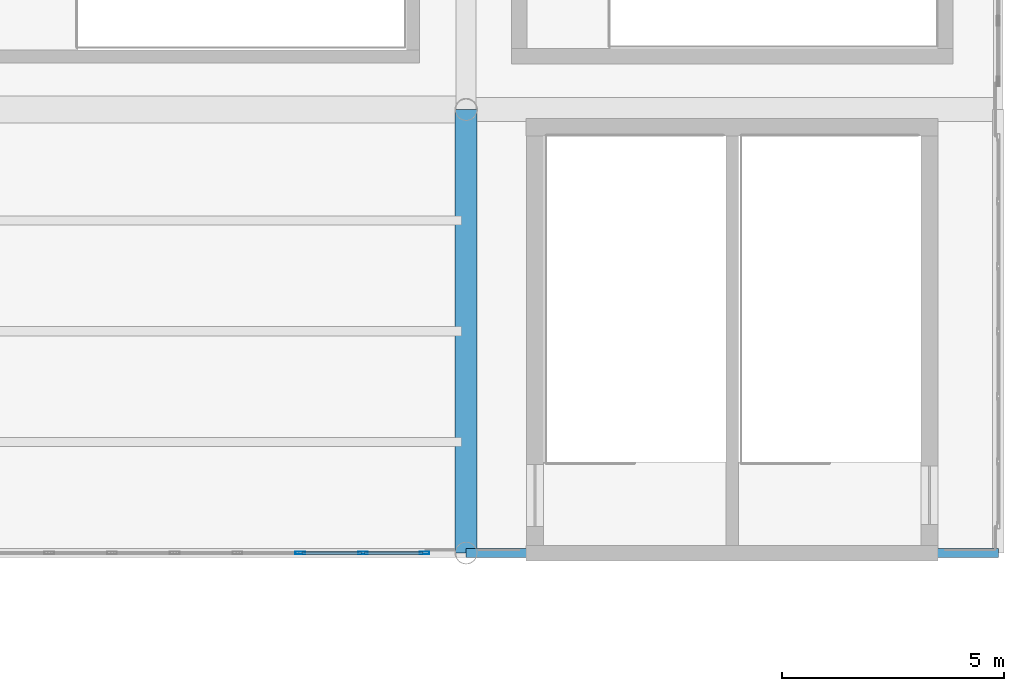
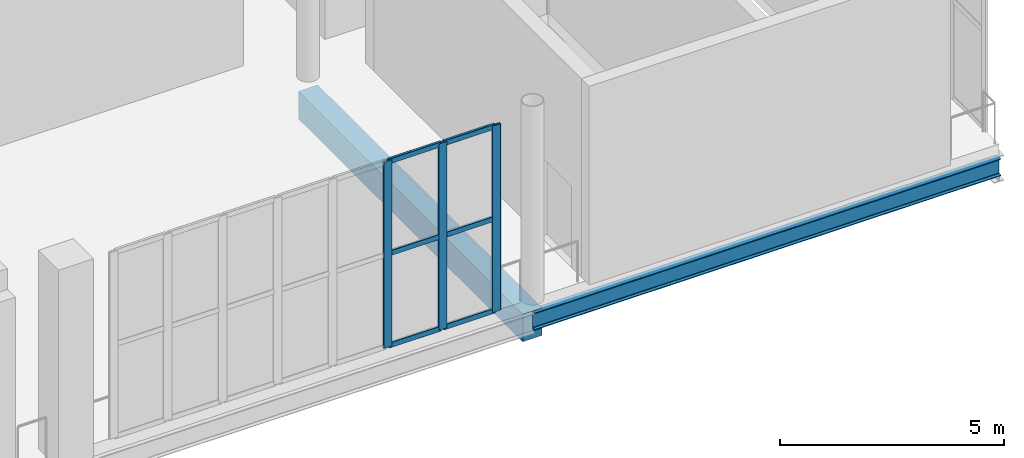
# One storey, part 28 of 74: 9 members, 2 beams, 1 element without a shape of its own.
"""IFC4 building model written with IfcOpenShell, lengths in metres."""

import ifcopenshell
import ifcopenshell.guid

model = None  # the IFC model being written
_history = None  # IfcOwnerHistory: only IFC2X3 demands one
_inside = {}  # id of a spatial element -> (the spatial element, [elements in it])
_under = {}  # id of a project, library or spatial element -> (it, [spatial elements below it])
_declared = {}  # id of a project -> (the project, [libraries it declares])
_typed = {}  # id of a type object -> (the type object, [elements of that type])
_made_of = {}  # id of a material, layer set ... -> (it, [elements and type objects made of it])


def new_model(schema):
    """Start an empty IFC model of exactly this schema.

    Asked for "IFC4X3", IfcOpenShell would pick the latest addendum, in which some entities
    have other attributes; the version numbers below select the first issue.
    IFC2X3 requires an IfcOwnerHistory on every rooted entity: one is made here for all.
    """
    global model, _history
    if schema == "IFC4X3":
        model = ifcopenshell.file(schema_version=(4, 3, 0, 0))
    else:
        model = ifcopenshell.file(schema=schema)
    _inside.clear()
    _under.clear()
    _declared.clear()
    _typed.clear()
    _made_of.clear()
    _history = None
    if model.schema == "IFC2X3":
        org = make("IfcOrganization", Name="unknown")
        user = make(
            "IfcPersonAndOrganization",
            ThePerson=make("IfcPerson", FamilyName="unknown"),
            TheOrganization=org,
        )
        app = make(
            "IfcApplication",
            ApplicationDeveloper=org,
            Version="unknown",
            ApplicationFullName="unknown",
            ApplicationIdentifier="unknown",
        )
        _history = make(
            "IfcOwnerHistory",
            OwningUser=user,
            OwningApplication=app,
            ChangeAction="ADDED",
            CreationDate=0,
        )
    return model


def make(cls, **values):
    """One entity of the class cls with the attributes given. An attribute that is None is left unset."""
    return model.create_entity(
        cls, **{name: value for name, value in values.items() if value is not None}
    )


def rooted(cls, **values):
    """An entity with a GlobalId (a new one), such as an element, a storey or a relation."""
    return make(cls, GlobalId=ifcopenshell.guid.new(), OwnerHistory=_history, **values)


def si_unit(unit_type, name, prefix=None):
    """IfcSIUnit, for example si_unit("LENGTHUNIT", "METRE", prefix="MILLI")."""
    return make("IfcSIUnit", UnitType=unit_type, Prefix=prefix, Name=name)


def assignment(units):
    """IfcUnitAssignment: the units of a project."""
    return None if units is None else make("IfcUnitAssignment", Units=units)


def point(xyz):
    """IfcCartesianPoint."""
    return None if xyz is None else make("IfcCartesianPoint", Coordinates=xyz)


def direction(xyz):
    """IfcDirection."""
    return None if xyz is None else make("IfcDirection", DirectionRatios=xyz)


def frame(location, z_axis=None, x_axis=None):
    """IfcAxis2Placement3D, a coordinate frame: its origin and axes. An axis left out is left unset."""
    return make(
        "IfcAxis2Placement3D",
        Location=point(location),
        Axis=direction(z_axis),
        RefDirection=direction(x_axis),
    )


def frame_2d(location, x_axis=None):
    """IfcAxis2Placement2D, a coordinate frame in the plane: its origin and x axis."""
    return make(
        "IfcAxis2Placement2D", Location=point(location), RefDirection=direction(x_axis)
    )


def origin():
    """The frame at (0, 0, 0) with its axes left unset."""
    return frame((0.0, 0.0, 0.0))


def origin_2d():
    """The frame at (0, 0) in the plane with its x axis left unset."""
    return frame_2d((0.0, 0.0))


def place(relative_to, where):
    """IfcLocalPlacement: puts the frame where relative to a parent placement (None: the world)."""
    return make(
        "IfcLocalPlacement", PlacementRelTo=relative_to, RelativePlacement=where
    )


def context(
    kind, dimensions, precision=None, world=None, true_north=None, identifier=None
):
    """IfcGeometricRepresentationContext, for example the 3D "Model" context."""
    return make(
        "IfcGeometricRepresentationContext",
        ContextIdentifier=identifier,
        ContextType=kind,
        CoordinateSpaceDimension=dimensions,
        Precision=precision,
        WorldCoordinateSystem=world,
        TrueNorth=true_north,
    )


def subcontext(parent, identifier, kind, view, scale=None):
    """IfcGeometricRepresentationSubContext, for example "Body" below "Model"."""
    return make(
        "IfcGeometricRepresentationSubContext",
        ContextIdentifier=identifier,
        ContextType=kind,
        ParentContext=parent,
        TargetScale=scale,
        TargetView=view,
    )


def project(units=None, contexts=None):
    """IfcProject with its units and contexts."""
    return rooted(
        "IfcProject",
        Name="project",
        RepresentationContexts=contexts,
        UnitsInContext=assignment(units),
    )


def spatial(cls, under=None, at=None, **own):
    """A site, building, storey or space (cls), placed at a placement, below another one or the project."""
    s = rooted(cls, ObjectPlacement=at, **own)
    if under is not None:
        _under.setdefault(under.id(), (under, []))[1].append(s)
    return s


def profile(cls, at=None, kind="AREA", **sizes):
    """A parametric profile (cls). Its sizes go by their IFC names, for example OverallWidth=200.0."""
    return make(cls, ProfileType=kind, Position=at, **sizes)


def rectangle(**sizes):
    """IfcRectangleProfileDef."""
    return profile("IfcRectangleProfileDef", **sizes)


def hollow_rectangle(**sizes):
    """IfcRectangleHollowProfileDef."""
    return profile("IfcRectangleHollowProfileDef", **sizes)


def i_section(**sizes):
    """IfcIShapeProfileDef."""
    return profile("IfcIShapeProfileDef", **sizes)


def extrude(swept, where, along, depth):
    """IfcExtrudedAreaSolid: the profile swept, set in the frame where, extruded along a direction by depth."""
    return make(
        "IfcExtrudedAreaSolid",
        SweptArea=swept,
        Position=where,
        ExtrudedDirection=direction(along),
        Depth=depth,
    )


def shape(context_of_items, identifier, shape_type, items):
    """IfcShapeRepresentation: the items that make up one representation, for example the "Body"."""
    return make(
        "IfcShapeRepresentation",
        ContextOfItems=context_of_items,
        RepresentationIdentifier=identifier,
        RepresentationType=shape_type,
        Items=items,
    )


def material(Name=None, Category=None):
    """IfcMaterial."""
    return make("IfcMaterial", Name=Name, Category=Category)


def layer(
    of_material, thickness, ventilated=None, Name=None, Category=None, Priority=None
):
    """IfcMaterialLayer: one layer of a wall or slab, of a material (None: an air gap)."""
    return make(
        "IfcMaterialLayer",
        Material=of_material,
        LayerThickness=thickness,
        IsVentilated=ventilated,
        Name=Name,
        Category=Category,
        Priority=Priority,
    )


def layer_set(layers, Name=None):
    """IfcMaterialLayerSet."""
    return make("IfcMaterialLayerSet", MaterialLayers=layers, LayerSetName=Name)


def material_profile(
    of_material, cross_section, Name=None, Category=None, Priority=None
):
    """IfcMaterialProfile: a cross section and its material."""
    return make(
        "IfcMaterialProfile",
        Name=Name,
        Material=of_material,
        Profile=cross_section,
        Priority=Priority,
        Category=Category,
    )


def profile_set(profiles, Name=None, composite=None):
    """IfcMaterialProfileSet."""
    return make(
        "IfcMaterialProfileSet",
        Name=Name,
        MaterialProfiles=profiles,
        CompositeProfile=composite,
    )


def made_of(thing, what):
    """Note that an element or type object is made of a material, layer set ...; save() writes the relation."""
    if what is not None:
        _made_of.setdefault(what.id(), (what, []))[1].append(thing)
    return thing


def type_object(cls, material=None, **own):
    """A type object (cls), such as IfcWallType, which elements share."""
    return made_of(rooted(cls, **own), material)


def element(
    cls,
    number,
    at=None,
    inside=None,
    cuts=None,
    type_object=None,
    material=None,
    context=None,
    identifier="Body",
    shape_type=None,
    held_by="IfcProductDefinitionShape",
    body=None,
    shapes=None,
    **own,
):
    """One element of the class cls, such as IfcWall. Its Tag is "e" and its number.

    at: its placement. inside: the storey or other place that contains it. cuts: it is an
    opening in that element (IfcRelVoidsElement). A single representation is given by context,
    identifier, shape_type and body (its items); several are given by shapes. held_by: the class
    of the entity that holds the representations. save() writes the other relations.
    """
    e = rooted(cls, Tag="e%d" % number, ObjectPlacement=at, **own)
    if body is not None:
        shapes = [shape(context, identifier, shape_type, body)]
    if shapes is not None:
        e.Representation = make(held_by, Representations=shapes)
    if inside is not None:
        _inside.setdefault(inside.id(), (inside, []))[1].append(e)
    if cuts is not None:
        rooted(
            "IfcRelVoidsElement", RelatingBuildingElement=cuts, RelatedOpeningElement=e
        )
    if type_object is not None:
        _typed.setdefault(type_object.id(), (type_object, []))[1].append(e)
    return made_of(e, material)


def aggregate(whole, parts):
    """IfcRelAggregates: a whole, such as a stair, and the parts it consists of."""
    return rooted("IfcRelAggregates", RelatingObject=whole, RelatedObjects=parts)


def save(model, path):
    """Write the relations noted so far, then the file.

    IfcRelAggregates (storeys below a building ...), IfcRelContainedInSpatialStructure (elements
    in a storey), IfcRelDefinesByType, IfcRelAssociatesMaterial and IfcRelDeclares: one each for
    every whole, place, type object, material and project.
    """
    for whole, parts in _under.values():
        aggregate(whole, parts)
    for where, things in _inside.values():
        rooted(
            "IfcRelContainedInSpatialStructure",
            RelatedElements=things,
            RelatingStructure=where,
        )
    for kind, things in _typed.values():
        rooted("IfcRelDefinesByType", RelatedObjects=things, RelatingType=kind)
    for what, things in _made_of.values():
        rooted("IfcRelAssociatesMaterial", RelatedObjects=things, RelatingMaterial=what)
    for by, libraries in _declared.values():
        rooted("IfcRelDeclares", RelatingContext=by, RelatedDefinitions=libraries)
    model.write(path)


model = new_model("IFC4")

# Units and contexts
model_context = context("Model", 3, precision=1e-05, world=origin(), true_north=direction((0.0, 1.0)))
body_context = subcontext(model_context, "Body", "Model", "MODEL_VIEW")
ifc_project = project(units=[si_unit("LENGTHUNIT", "METRE"), si_unit("AREAUNIT", "SQUARE_METRE"), si_unit("VOLUMEUNIT", "CUBIC_METRE"), si_unit("PLANEANGLEUNIT", "RADIAN"), si_unit("MASSUNIT", "GRAM", prefix="KILO")], contexts=[model_context])

# Site, building, storey
site_placement = place(None, origin())
site = spatial("IfcSite", under=ifc_project, at=site_placement, CompositionType="ELEMENT")
building_placement = place(site_placement, origin())
building = spatial("IfcBuilding", under=site, at=building_placement, Name="Brinegate Civic Arena", CompositionType="ELEMENT")
storey_placement = place(building_placement, frame((0.0, 0.0, 19.199951171875)))
storey = spatial("IfcBuildingStorey", under=building, at=storey_placement, Name="L04", CompositionType="ELEMENT", Elevation=19.199951171875)

# Curtain wall, members
ifc_material_1 = material(Name="Marine grade aluminium", Category="aluminium")
ifc_layer = layer(ifc_material_1, 0.199951171875, Name="Marine grade aluminium")
ifc_layer_set = layer_set([ifc_layer], Name="Marine grade aluminium")
curtain_wall_type = type_object("IfcCurtainWallType", Name="CW-BOWL-GLAZED-01", PredefinedType="USERDEFINED", material=ifc_layer_set)
curtain_wall_placement = place(storey_placement, origin())
curtain_wall = element("IfcCurtainWall", 1, at=curtain_wall_placement, inside=storey, type_object=curtain_wall_type, Name="Curtain Wall CWA-153", ObjectType="GLAZED CURTAIN WALL", PredefinedType="USERDEFINED")
ifc_material_profile_1 = material_profile(ifc_material_1, hollow_rectangle(XDim=0.06494140625, YDim=0.219970703125, WallThickness=0.006103515625, InnerFilletRadius=0.00390625, OuterFilletRadius=0.008056640625, at=origin_2d()), Name="MUL65X220")
ifc_profile_set_1 = profile_set([ifc_material_profile_1], Name="Marine grade aluminium")
member_type_1 = type_object("IfcMemberType", Name="CW-MULLION-65X220", PredefinedType="MULLION", material=ifc_profile_set_1)
member_1_placement = place(storey_placement, frame((152.260986328125, 10.0, 0.0), z_axis=(0.0, 0.0, 1.0), x_axis=(0.0, 1.0, 0.0)))
member_1 = element("IfcMember", 2, at=member_1_placement, type_object=member_type_1, Name="CWA-153 mullion 6", PredefinedType="MULLION", context=body_context, shape_type="SweptSolid", body=[
    extrude(hollow_rectangle(XDim=0.06494140625, YDim=0.219970703125, WallThickness=0.006103515625, InnerFilletRadius=0.00390625, OuterFilletRadius=0.008056640625, at=origin_2d()), origin(), (0.0, 0.0, 1.0), 5.070068359375),
])
member_2_placement = place(storey_placement, frame((153.676025390625, 10.0, 0.0), z_axis=(0.0, 0.0, 1.0), x_axis=(0.0, 1.0, 0.0)))
member_2 = element("IfcMember", 3, at=member_2_placement, type_object=member_type_1, Name="CWA-153 mullion 7", PredefinedType="MULLION", context=body_context, shape_type="SweptSolid", body=[
    extrude(hollow_rectangle(XDim=0.06494140625, YDim=0.219970703125, WallThickness=0.006103515625, InnerFilletRadius=0.00390625, OuterFilletRadius=0.008056640625, at=origin_2d()), origin(), (0.0, 0.0, 1.0), 5.070068359375),
])
member_3_placement = place(storey_placement, frame((155.05859375, 10.0, 0.0), z_axis=(0.0, 0.0, 1.0), x_axis=(0.0, 1.0, 0.0)))
member_3 = element("IfcMember", 4, at=member_3_placement, type_object=member_type_1, Name="CWA-153 mullion 8", PredefinedType="MULLION", context=body_context, shape_type="SweptSolid", body=[
    extrude(hollow_rectangle(XDim=0.06494140625, YDim=0.219970703125, WallThickness=0.006103515625, InnerFilletRadius=0.00390625, OuterFilletRadius=0.008056640625, at=origin_2d()), origin(), (0.0, 0.0, 1.0), 5.070068359375),
])
ifc_material_profile_2 = material_profile(ifc_material_1, hollow_rectangle(XDim=0.06494140625, YDim=0.139892578125, WallThickness=0.0048828125, InnerFilletRadius=0.00390625, OuterFilletRadius=0.008056640625, at=origin_2d()), Name="TRN65X140")
ifc_profile_set_2 = profile_set([ifc_material_profile_2], Name="Marine grade aluminium")
member_type_2 = type_object("IfcMemberType", Name="CW-TRANSOM-65X140", PredefinedType="USERDEFINED", material=ifc_profile_set_2)
member_4_placement = place(storey_placement, frame((152.29345703125, 10.0, 0.032470703125), z_axis=(1.0, 0.0, 0.0), x_axis=(0.0, 1.0, 0.0)))
member_4 = element("IfcMember", 5, at=member_4_placement, type_object=member_type_2, Name="CWA-153 transom 6.1", ObjectType="TRANSOM", PredefinedType="USERDEFINED", context=body_context, shape_type="SweptSolid", body=[
    extrude(hollow_rectangle(XDim=0.06494140625, YDim=0.139892578125, WallThickness=0.0048828125, InnerFilletRadius=0.00390625, OuterFilletRadius=0.008056640625, at=origin_2d()), origin(), (0.0, 0.0, 1.0), 1.35009765625),
])
member_5_placement = place(storey_placement, frame((152.29345703125, 10.0, 2.53515625), z_axis=(1.0, 0.0, 0.0), x_axis=(0.0, 1.0, 0.0)))
member_5 = element("IfcMember", 6, at=member_5_placement, type_object=member_type_2, Name="CWA-153 transom 6.2", ObjectType="TRANSOM", PredefinedType="USERDEFINED", context=body_context, shape_type="SweptSolid", body=[
    extrude(hollow_rectangle(XDim=0.06494140625, YDim=0.139892578125, WallThickness=0.0048828125, InnerFilletRadius=0.00390625, OuterFilletRadius=0.008056640625, at=origin_2d()), origin(), (0.0, 0.0, 1.0), 1.35009765625),
])
member_6_placement = place(storey_placement, frame((152.29345703125, 10.0, 5.03759765625), z_axis=(1.0, 0.0, 0.0), x_axis=(0.0, 1.0, 0.0)))
member_6 = element("IfcMember", 7, at=member_6_placement, type_object=member_type_2, Name="CWA-153 transom 6.3", ObjectType="TRANSOM", PredefinedType="USERDEFINED", context=body_context, shape_type="SweptSolid", body=[
    extrude(hollow_rectangle(XDim=0.06494140625, YDim=0.139892578125, WallThickness=0.0048828125, InnerFilletRadius=0.00390625, OuterFilletRadius=0.008056640625, at=origin_2d()), origin(), (0.0, 0.0, 1.0), 1.35009765625),
])
member_7_placement = place(storey_placement, frame((153.70849609375, 10.0, 0.032470703125), z_axis=(1.0, 0.0, 0.0), x_axis=(0.0, 1.0, 0.0)))
member_7 = element("IfcMember", 8, at=member_7_placement, type_object=member_type_2, Name="CWA-153 transom 7.1", ObjectType="TRANSOM", PredefinedType="USERDEFINED", context=body_context, shape_type="SweptSolid", body=[
    extrude(hollow_rectangle(XDim=0.06494140625, YDim=0.139892578125, WallThickness=0.0048828125, InnerFilletRadius=0.00390625, OuterFilletRadius=0.008056640625, at=origin_2d()), origin(), (0.0, 0.0, 1.0), 1.3173828125),
])
member_8_placement = place(storey_placement, frame((153.70849609375, 10.0, 2.53515625), z_axis=(1.0, 0.0, 0.0), x_axis=(0.0, 1.0, 0.0)))
member_8 = element("IfcMember", 9, at=member_8_placement, type_object=member_type_2, Name="CWA-153 transom 7.2", ObjectType="TRANSOM", PredefinedType="USERDEFINED", context=body_context, shape_type="SweptSolid", body=[
    extrude(hollow_rectangle(XDim=0.06494140625, YDim=0.139892578125, WallThickness=0.0048828125, InnerFilletRadius=0.00390625, OuterFilletRadius=0.008056640625, at=origin_2d()), origin(), (0.0, 0.0, 1.0), 1.3173828125),
])
member_9_placement = place(storey_placement, frame((153.70849609375, 10.0, 5.03759765625), z_axis=(1.0, 0.0, 0.0), x_axis=(0.0, 1.0, 0.0)))
member_9 = element("IfcMember", 10, at=member_9_placement, type_object=member_type_2, Name="CWA-153 transom 7.3", ObjectType="TRANSOM", PredefinedType="USERDEFINED", context=body_context, shape_type="SweptSolid", body=[
    extrude(hollow_rectangle(XDim=0.06494140625, YDim=0.139892578125, WallThickness=0.0048828125, InnerFilletRadius=0.00390625, OuterFilletRadius=0.008056640625, at=origin_2d()), origin(), (0.0, 0.0, 1.0), 1.3173828125),
])
aggregate(curtain_wall, [member_1, member_2, member_3, member_4, member_5, member_6, member_7, member_8, member_9])

# Beams
ifc_material_2 = material(Name="Concrete C50/60", Category="concrete")
ifc_material_profile_3 = material_profile(ifc_material_2, rectangle(XDim=0.5, YDim=0.75, at=origin_2d()), Name="RCB500X750")
ifc_profile_set_3 = profile_set([ifc_material_profile_3], Name="Concrete C50/60")
beam_type_1 = type_object("IfcBeamType", Name="RCG-500X750", PredefinedType="BEAM", material=ifc_profile_set_3)
beam_1_placement = place(storey_placement, frame((156.0, 10.0, -0.71484375), z_axis=(0.0, 1.0, 0.0), x_axis=(-1.0, 0.0, 0.0)))
element("IfcBeam", 11, at=beam_1_placement, inside=storey, type_object=beam_type_1, Name="Floor Girder BM-L04-GY-13-01", PredefinedType="BEAM", context=body_context, shape_type="SweptSolid", body=[
    extrude(rectangle(XDim=0.5, YDim=0.75, at=origin_2d()), origin(), (0.0, 0.0, 1.0), 10.0),
])
ifc_material_3 = material(Name="Steel S355", Category="steel")
ifc_material_profile_4 = material_profile(ifc_material_3, i_section(OverallWidth=0.193115234375, OverallDepth=0.466064453125, WebThickness=0.010986328125, FlangeThickness=0.01904296875, FilletRadius=0.014892578125, at=origin_2d()), Name="W460X97")
ifc_profile_set_4 = profile_set([ifc_material_profile_4], Name="Steel S355")
beam_type_2 = type_object("IfcBeamType", Name="SPANDREL-W460X97", PredefinedType="SPANDREL", material=ifc_profile_set_4)
beam_2_placement = place(storey_placement, frame((156.0, 10.0, -0.572998046875), z_axis=(1.0, 0.0, 0.0), x_axis=(0.0, 1.0, 0.0)))
element("IfcBeam", 12, at=beam_2_placement, inside=storey, type_object=beam_type_2, Name="Floor Girder BM-L04-GX-13-01", PredefinedType="SPANDREL", context=body_context, shape_type="SweptSolid", body=[
    extrude(i_section(OverallWidth=0.193115234375, OverallDepth=0.466064453125, WebThickness=0.010986328125, FlangeThickness=0.01904296875, FilletRadius=0.014892578125, at=origin_2d()), origin(), (0.0, 0.0, 1.0), 12.0),
])

save(model, "model.ifc")
